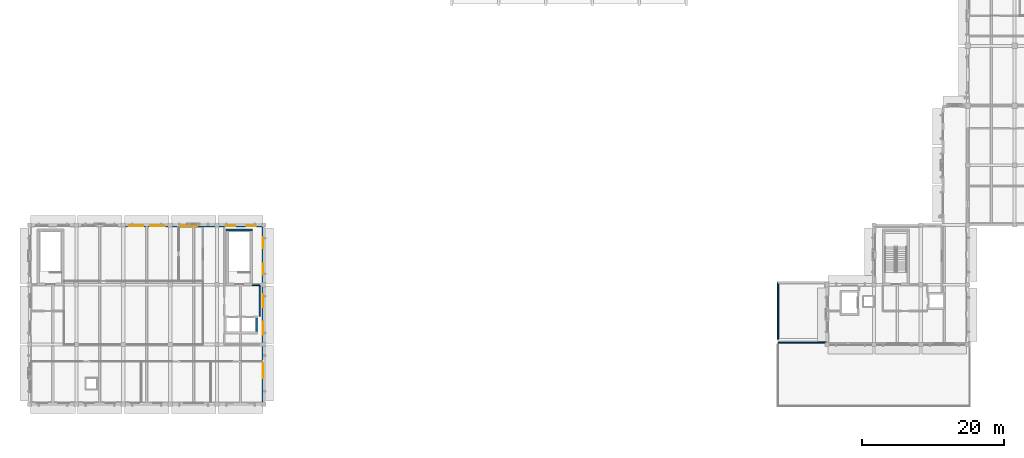
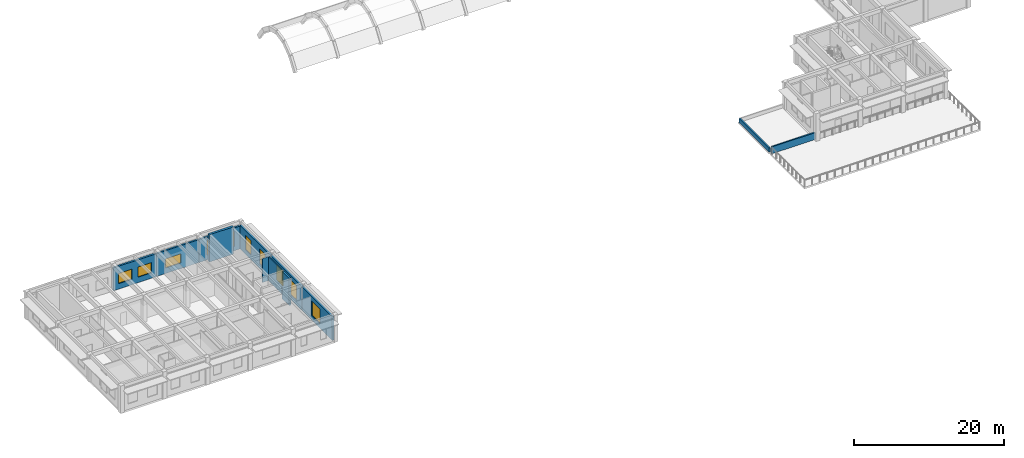
# One storey, part 8 of 20: 12 walls, 10 windows, 10 openings.
"""IFC4 building model written with IfcOpenShell, lengths in metres."""

from ifc_helpers import new_model, si_unit, direction, frame, frame_2d, origin, place, context, subcontext, project, spatial, rectangle, extrude, material, layer, layer_set, type_object, element, fill, save


model = new_model("IFC4")

# Units and contexts
model_context = context("Model", 3, precision=1e-05, world=origin(), true_north=direction((0.0, 1.0)))
body_context = subcontext(model_context, "Body", "Model", "MODEL_VIEW")
ifc_project = project(units=[si_unit("LENGTHUNIT", "METRE"), si_unit("AREAUNIT", "SQUARE_METRE"), si_unit("VOLUMEUNIT", "CUBIC_METRE"), si_unit("PLANEANGLEUNIT", "RADIAN"), si_unit("MASSUNIT", "GRAM", prefix="KILO")], contexts=[model_context])

# Site, building, storey
site_placement = place(None, origin())
site = spatial("IfcSite", under=ifc_project, at=site_placement, CompositionType="ELEMENT")
building_placement = place(site_placement, origin())
building = spatial("IfcBuilding", under=site, at=building_placement, Name="Kolvaren Faculty of Natural Sciences", CompositionType="ELEMENT")
storey_placement = place(building_placement, frame((0.0, 0.0, 24.0)))
storey = spatial("IfcBuildingStorey", under=building, at=storey_placement, Name="L05", CompositionType="ELEMENT", Elevation=24.0)

# Wall
ifc_material_1 = material(Name="Concrete C40/50", Category="concrete")
ifc_layer_1 = layer(ifc_material_1, 0.35009765625)
ifc_layer_set_1 = layer_set([ifc_layer_1], Name="Concrete C40/50")
wall_type_1 = type_object("IfcWallType", Name="CoreShearWall_350", PredefinedType="SHEAR", material=ifc_layer_set_1)
wall_1_placement = place(storey_placement, frame((34.425048828125, 41.5, 0.0), z_axis=(0.0, 0.0, 1.0), x_axis=(1.0, 0.0, 0.0)))
element("IfcWall", 1, at=wall_1_placement, inside=storey, type_object=wall_type_1, Name="L05 CORE-C4 stair shear wall N", PredefinedType="SHEAR", context=body_context, shape_type="SweptSolid", body=[
    extrude(rectangle(XDim=3.75, YDim=0.35009765625, at=frame_2d((1.875, 0.0))), origin(), (0.0, 0.0, 1.0), 4.43994140625),
])

# Wall, openings, windows
ifc_material_2 = material(Name="Precast concrete C35/45", Category="concrete")
ifc_layer_2 = layer(ifc_material_2, 0.280029296875)
ifc_layer_set_2 = layer_set([ifc_layer_2], Name="Precast concrete C35/45")
wall_type_2 = type_object("IfcWallType", Name="ExteriorPrecastWall_280", PredefinedType="STANDARD", material=ifc_layer_set_2)
wall_2_placement = place(storey_placement, frame((20.0, 42.06005859375, 0.0), z_axis=(0.0, 0.0, 1.0), x_axis=(1.0, 0.0, 0.0)))
wall_2 = element("IfcWall", 2, at=wall_2_placement, inside=storey, type_object=wall_type_2, Name="L05 exterior masonry wall EW-280 (666)", PredefinedType="STANDARD", context=body_context, shape_type="SweptSolid", body=[
    extrude(rectangle(XDim=6.60009765625, YDim=0.280029296875, at=frame_2d((3.300048828125, 0.0))), origin(), (0.0, 0.0, 1.0), 3.735107421875),
])
opening_1_placement = place(wall_2_placement, frame((0.757080078125, 0.0, 0.89990234375)))
opening_1 = element("IfcOpeningElement", 3, at=opening_1_placement, cuts=wall_2, Name="Opening WIN-17", PredefinedType="OPENING", context=body_context, shape_type="SweptSolid", body=[
    extrude(rectangle(XDim=2.050048828125, YDim=1.64990234375, at=frame_2d((1.02490234375, 0.824951171875))), frame((0.0, 0.14990234375, 0.0), z_axis=(0.0, -1.0, 0.0), x_axis=(1.0, 0.0, 0.0)), (0.0, 0.0, 1.0), 0.300048828125),
])
opening_2_placement = place(wall_2_placement, frame((3.79296875, 0.0, 0.89990234375)))
opening_2 = element("IfcOpeningElement", 4, at=opening_2_placement, cuts=wall_2, Name="Opening WIN-17", PredefinedType="OPENING", context=body_context, shape_type="SweptSolid", body=[
    extrude(rectangle(XDim=2.050048828125, YDim=1.64990234375, at=frame_2d((1.02490234375, 0.824951171875))), frame((0.0, 0.14990234375, 0.0), z_axis=(0.0, -1.0, 0.0), x_axis=(1.0, 0.0, 0.0)), (0.0, 0.0, 1.0), 0.300048828125),
])
ifc_material_3 = material(Name="Double low-E solar control insulated glazing", Category="glass")
window_type_1 = type_object("IfcWindowType", Name="AluWindow_WIN17_2050x1650", PartitioningType="SINGLE_PANEL", PredefinedType="WINDOW", material=ifc_material_3)
window_1_placement = place(opening_1_placement, origin())
window_1 = element("IfcWindow", 5, at=window_1_placement, inside=storey, type_object=window_type_1, Name="WIN-L05-0483", OverallHeight=1.64990234375, OverallWidth=2.050048828125, PartitioningType="SINGLE_PANEL", PredefinedType="WINDOW", context=body_context, shape_type="SweptSolid", body=[
    extrude(rectangle(XDim=2.050048828125, YDim=1.64990234375, at=frame_2d((1.02490234375, 0.824951171875))), frame((0.0, 0.030029296875, 0.0), z_axis=(0.0, -1.0, 0.0), x_axis=(1.0, 0.0, 0.0)), (0.0, 0.0, 1.0), 0.06005859375),
])
fill(opening_1, window_1)
window_2_placement = place(opening_2_placement, origin())
window_2 = element("IfcWindow", 6, at=window_2_placement, inside=storey, type_object=window_type_1, Name="WIN-L05-0484", OverallHeight=1.64990234375, OverallWidth=2.050048828125, PartitioningType="SINGLE_PANEL", PredefinedType="WINDOW", context=body_context, shape_type="SweptSolid", body=[
    extrude(rectangle(XDim=2.050048828125, YDim=1.64990234375, at=frame_2d((1.02490234375, 0.824951171875))), frame((0.0, 0.030029296875, 0.0), z_axis=(0.0, -1.0, 0.0), x_axis=(1.0, 0.0, 0.0)), (0.0, 0.0, 1.0), 0.06005859375),
])
fill(opening_2, window_2)

# Wall, opening, window
wall_3_placement = place(storey_placement, frame((26.60009765625, 42.06005859375, 0.0), z_axis=(0.0, 0.0, 1.0), x_axis=(1.0, 0.0, 0.0)))
wall_3 = element("IfcWall", 7, at=wall_3_placement, inside=storey, type_object=wall_type_2, Name="L05 exterior masonry wall EW-280 (667)", PredefinedType="STANDARD", context=body_context, shape_type="SweptSolid", body=[
    extrude(rectangle(XDim=6.599853515625, YDim=0.280029296875, at=frame_2d((3.2998046875, 0.0))), origin(), (0.0, 0.0, 1.0), 3.735107421875),
])
opening_3_placement = place(wall_3_placement, frame((1.43994140625, 0.0, 0.89990234375)))
opening_3 = element("IfcOpeningElement", 8, at=opening_3_placement, cuts=wall_3, Name="Opening WIN-18", PredefinedType="OPENING", context=body_context, shape_type="SweptSolid", body=[
    extrude(rectangle(XDim=2.35009765625, YDim=1.5, at=frame_2d((1.175048828125, 0.75))), frame((0.0, 0.14990234375, 0.0), z_axis=(0.0, -1.0, 0.0), x_axis=(1.0, 0.0, 0.0)), (0.0, 0.0, 1.0), 0.300048828125),
])
window_type_2 = type_object("IfcWindowType", Name="AluWindow_WIN18_2350x1500", PartitioningType="SINGLE_PANEL", PredefinedType="WINDOW", material=ifc_material_3)
window_3_placement = place(opening_3_placement, origin())
window_3 = element("IfcWindow", 9, at=window_3_placement, inside=storey, type_object=window_type_2, Name="WIN-L05-0485", OverallHeight=1.5, OverallWidth=2.35009765625, PartitioningType="SINGLE_PANEL", PredefinedType="WINDOW", context=body_context, shape_type="SweptSolid", body=[
    extrude(rectangle(XDim=2.35009765625, YDim=1.5, at=frame_2d((1.175048828125, 0.75))), frame((0.0, 0.030029296875, 0.0), z_axis=(0.0, -1.0, 0.0), x_axis=(1.0, 0.0, 0.0)), (0.0, 0.0, 1.0), 0.06005859375),
])
fill(opening_3, window_3)

# Wall, openings, windows
wall_4_placement = place(storey_placement, frame((33.199951171875, 42.06005859375, 0.0), z_axis=(0.0, 0.0, 1.0), x_axis=(1.0, 0.0, 0.0)))
wall_4 = element("IfcWall", 10, at=wall_4_placement, inside=storey, type_object=wall_type_2, Name="L05 exterior masonry wall EW-280 (668)", PredefinedType="STANDARD", context=body_context, shape_type="SweptSolid", body=[
    extrude(rectangle(XDim=6.60009765625, YDim=0.280029296875, at=frame_2d((3.300048828125, 0.0))), origin(), (0.0, 0.0, 1.0), 3.735107421875),
])
opening_4_placement = place(wall_4_placement, frame((1.239990234375, 0.0, 0.75)))
opening_4 = element("IfcOpeningElement", 11, at=opening_4_placement, cuts=wall_4, Name="Opening WIN-19", PredefinedType="OPENING", context=body_context, shape_type="SweptSolid", body=[
    extrude(rectangle(XDim=1.300048828125, YDim=2.39990234375, at=frame_2d((0.64990234375, 1.199951171875))), frame((0.0, 0.14990234375, 0.0), z_axis=(0.0, -1.0, 0.0), x_axis=(1.0, 0.0, 0.0)), (0.0, 0.0, 1.0), 0.300048828125),
])
opening_5_placement = place(wall_4_placement, frame((4.16796875, 0.0, 0.75)))
opening_5 = element("IfcOpeningElement", 12, at=opening_5_placement, cuts=wall_4, Name="Opening WIN-19", PredefinedType="OPENING", context=body_context, shape_type="SweptSolid", body=[
    extrude(rectangle(XDim=1.300048828125, YDim=2.39990234375, at=frame_2d((0.64990234375, 1.199951171875))), frame((0.0, 0.14990234375, 0.0), z_axis=(0.0, -1.0, 0.0), x_axis=(1.0, 0.0, 0.0)), (0.0, 0.0, 1.0), 0.300048828125),
])
window_type_3 = type_object("IfcWindowType", Name="AluWindow_WIN19_1300x2400", PartitioningType="SINGLE_PANEL", PredefinedType="WINDOW", material=ifc_material_3)
window_4_placement = place(opening_4_placement, origin())
window_4 = element("IfcWindow", 13, at=window_4_placement, inside=storey, type_object=window_type_3, Name="WIN-L05-0486", OverallHeight=2.39990234375, OverallWidth=1.300048828125, PartitioningType="SINGLE_PANEL", PredefinedType="WINDOW", context=body_context, shape_type="SweptSolid", body=[
    extrude(rectangle(XDim=1.300048828125, YDim=2.39990234375, at=frame_2d((0.64990234375, 1.199951171875))), frame((0.0, 0.030029296875, 0.0), z_axis=(0.0, -1.0, 0.0), x_axis=(1.0, 0.0, 0.0)), (0.0, 0.0, 1.0), 0.06005859375),
])
fill(opening_4, window_4)
window_5_placement = place(opening_5_placement, origin())
window_5 = element("IfcWindow", 14, at=window_5_placement, inside=storey, type_object=window_type_3, Name="WIN-L05-0487", OverallHeight=2.39990234375, OverallWidth=1.300048828125, PartitioningType="SINGLE_PANEL", PredefinedType="WINDOW", context=body_context, shape_type="SweptSolid", body=[
    extrude(rectangle(XDim=1.300048828125, YDim=2.39990234375, at=frame_2d((0.64990234375, 1.199951171875))), frame((0.0, 0.030029296875, 0.0), z_axis=(0.0, -1.0, 0.0), x_axis=(1.0, 0.0, 0.0)), (0.0, 0.0, 1.0), 0.06005859375),
])
fill(opening_5, window_5)

wall_5_placement = place(storey_placement, frame((39.659912109375, 41.919921875, 0.0), z_axis=(0.0, 0.0, 1.0), x_axis=(0.0, -1.0, 0.0)))
wall_5 = element("IfcWall", 15, at=wall_5_placement, inside=storey, type_object=wall_type_2, Name="L05 exterior masonry wall EW-280 (669)", PredefinedType="STANDARD", context=body_context, shape_type="SweptSolid", body=[
    extrude(rectangle(XDim=8.119873046875, YDim=0.280029296875, at=frame_2d((4.06005859375, 0.0))), origin(), (0.0, 0.0, 1.0), 3.885009765625),
])
opening_6_placement = place(wall_5_placement, frame((1.41748046875, 0.0, 0.75)))
opening_6 = element("IfcOpeningElement", 16, at=opening_6_placement, cuts=wall_5, Name="Opening WIN-20", PredefinedType="OPENING", context=body_context, shape_type="SweptSolid", body=[
    extrude(rectangle(XDim=1.550048828125, YDim=2.39990234375, at=frame_2d((0.77490234375, 1.199951171875))), frame((0.0, 0.14990234375, 0.0), z_axis=(0.0, -1.0, 0.0), x_axis=(1.0, 0.0, 0.0)), (0.0, 0.0, 1.0), 0.300048828125),
])
opening_7_placement = place(wall_5_placement, frame((5.152587890625, 0.0, 0.75)))
opening_7 = element("IfcOpeningElement", 17, at=opening_7_placement, cuts=wall_5, Name="Opening WIN-20", PredefinedType="OPENING", context=body_context, shape_type="SweptSolid", body=[
    extrude(rectangle(XDim=1.550048828125, YDim=2.39990234375, at=frame_2d((0.77490234375, 1.199951171875))), frame((0.0, 0.14990234375, 0.0), z_axis=(0.0, -1.0, 0.0), x_axis=(1.0, 0.0, 0.0)), (0.0, 0.0, 1.0), 0.300048828125),
])
window_type_4 = type_object("IfcWindowType", Name="AluWindow_WIN20_1550x2400", PartitioningType="SINGLE_PANEL", PredefinedType="WINDOW", material=ifc_material_3)
window_6_placement = place(opening_6_placement, origin())
window_6 = element("IfcWindow", 18, at=window_6_placement, inside=storey, type_object=window_type_4, Name="WIN-L05-0488", OverallHeight=2.39990234375, OverallWidth=1.550048828125, PartitioningType="SINGLE_PANEL", PredefinedType="WINDOW", context=body_context, shape_type="SweptSolid", body=[
    extrude(rectangle(XDim=1.550048828125, YDim=2.39990234375, at=frame_2d((0.77490234375, 1.199951171875))), frame((0.0, 0.030029296875, 0.0), z_axis=(0.0, -1.0, 0.0), x_axis=(1.0, 0.0, 0.0)), (0.0, 0.0, 1.0), 0.06005859375),
])
fill(opening_6, window_6)
window_7_placement = place(opening_7_placement, origin())
window_7 = element("IfcWindow", 19, at=window_7_placement, inside=storey, type_object=window_type_4, Name="WIN-L05-0489", OverallHeight=2.39990234375, OverallWidth=1.550048828125, PartitioningType="SINGLE_PANEL", PredefinedType="WINDOW", context=body_context, shape_type="SweptSolid", body=[
    extrude(rectangle(XDim=1.550048828125, YDim=2.39990234375, at=frame_2d((0.77490234375, 1.199951171875))), frame((0.0, 0.030029296875, 0.0), z_axis=(0.0, -1.0, 0.0), x_axis=(1.0, 0.0, 0.0)), (0.0, 0.0, 1.0), 0.06005859375),
])
fill(opening_7, window_7)

wall_6_placement = place(storey_placement, frame((39.659912109375, 33.800048828125, 0.0), z_axis=(0.0, 0.0, 1.0), x_axis=(0.0, -1.0, 0.0)))
wall_6 = element("IfcWall", 20, at=wall_6_placement, inside=storey, type_object=wall_type_2, Name="L05 exterior masonry wall EW-280 (670)", PredefinedType="STANDARD", context=body_context, shape_type="SweptSolid", body=[
    extrude(rectangle(XDim=8.400146484375, YDim=0.280029296875, at=frame_2d((4.2001953125, 0.0))), origin(), (0.0, 0.0, 1.0), 3.885009765625),
])
opening_8_placement = place(wall_6_placement, frame((1.367919921875, 0.0, 0.75)))
opening_8 = element("IfcOpeningElement", 21, at=opening_8_placement, cuts=wall_6, Name="Opening WIN-21", PredefinedType="OPENING", context=body_context, shape_type="SweptSolid", body=[
    extrude(rectangle(XDim=1.800048828125, YDim=2.39990234375, at=frame_2d((0.89990234375, 1.199951171875))), frame((0.0, 0.14990234375, 0.0), z_axis=(0.0, -1.0, 0.0), x_axis=(1.0, 0.0, 0.0)), (0.0, 0.0, 1.0), 0.300048828125),
])
opening_9_placement = place(wall_6_placement, frame((5.23193359375, 0.0, 0.75)))
opening_9 = element("IfcOpeningElement", 22, at=opening_9_placement, cuts=wall_6, Name="Opening WIN-21", PredefinedType="OPENING", context=body_context, shape_type="SweptSolid", body=[
    extrude(rectangle(XDim=1.800048828125, YDim=2.39990234375, at=frame_2d((0.89990234375, 1.199951171875))), frame((0.0, 0.14990234375, 0.0), z_axis=(0.0, -1.0, 0.0), x_axis=(1.0, 0.0, 0.0)), (0.0, 0.0, 1.0), 0.300048828125),
])
window_type_5 = type_object("IfcWindowType", Name="AluWindow_WIN21_1800x2400", PartitioningType="SINGLE_PANEL", PredefinedType="WINDOW", material=ifc_material_3)
window_8_placement = place(opening_8_placement, origin())
window_8 = element("IfcWindow", 23, at=window_8_placement, inside=storey, type_object=window_type_5, Name="WIN-L05-0490", OverallHeight=2.39990234375, OverallWidth=1.800048828125, PartitioningType="SINGLE_PANEL", PredefinedType="WINDOW", context=body_context, shape_type="SweptSolid", body=[
    extrude(rectangle(XDim=1.800048828125, YDim=2.39990234375, at=frame_2d((0.89990234375, 1.199951171875))), frame((0.0, 0.030029296875, 0.0), z_axis=(0.0, -1.0, 0.0), x_axis=(1.0, 0.0, 0.0)), (0.0, 0.0, 1.0), 0.06005859375),
])
fill(opening_8, window_8)
window_9_placement = place(opening_9_placement, origin())
window_9 = element("IfcWindow", 24, at=window_9_placement, inside=storey, type_object=window_type_5, Name="WIN-L05-0491", OverallHeight=2.39990234375, OverallWidth=1.800048828125, PartitioningType="SINGLE_PANEL", PredefinedType="WINDOW", context=body_context, shape_type="SweptSolid", body=[
    extrude(rectangle(XDim=1.800048828125, YDim=2.39990234375, at=frame_2d((0.89990234375, 1.199951171875))), frame((0.0, 0.030029296875, 0.0), z_axis=(0.0, -1.0, 0.0), x_axis=(1.0, 0.0, 0.0)), (0.0, 0.0, 1.0), 0.06005859375),
])
fill(opening_9, window_9)

# Wall, opening, window
wall_7_placement = place(storey_placement, frame((39.659912109375, 25.39990234375, 0.0), z_axis=(0.0, 0.0, 1.0), x_axis=(0.0, -1.0, 0.0)))
wall_7 = element("IfcWall", 25, at=wall_7_placement, inside=storey, type_object=wall_type_2, Name="L05 exterior masonry wall EW-280 (671)", PredefinedType="STANDARD", context=body_context, shape_type="SweptSolid", body=[
    extrude(rectangle(XDim=8.119873046875, YDim=0.280029296875, at=frame_2d((4.06005859375, 0.0))), origin(), (0.0, 0.0, 1.0), 3.885009765625),
])
opening_10_placement = place(wall_7_placement, frame((2.639892578125, 0.0, 0.75)))
opening_10 = element("IfcOpeningElement", 26, at=opening_10_placement, cuts=wall_7, Name="Opening WIN-22", PredefinedType="OPENING", context=body_context, shape_type="SweptSolid", body=[
    extrude(rectangle(XDim=2.14990234375, YDim=2.39990234375, at=frame_2d((1.074951171875, 1.199951171875))), frame((0.0, 0.14990234375, 0.0), z_axis=(0.0, -1.0, 0.0), x_axis=(1.0, 0.0, 0.0)), (0.0, 0.0, 1.0), 0.300048828125),
])
window_type_6 = type_object("IfcWindowType", Name="AluWindow_WIN22_2150x2400", PartitioningType="SINGLE_PANEL", PredefinedType="WINDOW", material=ifc_material_3)
window_10_placement = place(opening_10_placement, origin())
window_10 = element("IfcWindow", 27, at=window_10_placement, inside=storey, type_object=window_type_6, Name="WIN-L05-0492", OverallHeight=2.39990234375, OverallWidth=2.14990234375, PartitioningType="SINGLE_PANEL", PredefinedType="WINDOW", context=body_context, shape_type="SweptSolid", body=[
    extrude(rectangle(XDim=2.14990234375, YDim=2.39990234375, at=frame_2d((1.074951171875, 1.199951171875))), frame((0.0, 0.030029296875, 0.0), z_axis=(0.0, -1.0, 0.0), x_axis=(1.0, 0.0, 0.0)), (0.0, 0.0, 1.0), 0.06005859375),
])
fill(opening_10, window_10)

# Walls
ifc_layer_3 = layer(ifc_material_2, 0.219970703125)
ifc_layer_set_3 = layer_set([ifc_layer_3], Name="Precast concrete C35/45")
wall_type_3 = type_object("IfcWallType", Name="ParapetUpstandWall_220", PredefinedType="PARAPET", material=ifc_layer_set_3)
wall_8_placement = place(storey_placement, frame((112.1201171875, 25.679931640625, 0.0), z_axis=(0.0, 0.0, 1.0), x_axis=(1.0, 0.0, 0.0)))
element("IfcWall", 28, at=wall_8_placement, inside=storey, type_object=wall_type_3, Name="L05 terrace-to-roof guard parapet divider 3", PredefinedType="PARAPET", context=body_context, shape_type="SweptSolid", body=[
    extrude(rectangle(XDim=6.759765625, YDim=0.219970703125, at=frame_2d((3.3798828125, 0.0))), origin(), (0.0, 0.0, 1.0), 1.1201171875),
])
wall_9_placement = place(storey_placement, frame((112.1201171875, 26.10009765625, 0.0), z_axis=(0.0, 0.0, 1.0), x_axis=(0.0, 1.0, 0.0)))
element("IfcWall", 29, at=wall_9_placement, inside=storey, type_object=wall_type_3, Name="L05 architectural sandstone roof parapet 60", PredefinedType="PARAPET", context=body_context, shape_type="SweptSolid", body=[
    extrude(rectangle(XDim=7.97998046875, YDim=0.219970703125, at=frame_2d((3.989990234375, 0.0))), origin(), (0.0, 0.0, 1.0), 0.679931640625),
])
ifc_material_4 = material(Name="Double fire-rated gypsum board on 100 mm steel stud", Category="steel")
ifc_layer_4 = layer(ifc_material_4, 0.14990234375)
ifc_layer_set_4 = layer_set([ifc_layer_4], Name="Double fire-rated gypsum board on 100 mm steel stud")
wall_type_4 = type_object("IfcWallType", Name="RatedCorridorWall_150", PredefinedType="PARTITIONING", material=ifc_layer_set_4)
wall_10_placement = place(storey_placement, frame((38.175048828125, 33.699951171875, 0.0), z_axis=(0.0, 0.0, 1.0), x_axis=(1.0, 0.0, 0.0)))
element("IfcWall", 30, at=wall_10_placement, inside=storey, type_object=wall_type_4, Name="L05 interior partition LW-150", PredefinedType="PARTITIONING", context=body_context, shape_type="SweptSolid", body=[
    extrude(rectangle(XDim=1.02490234375, YDim=0.14990234375, at=frame_2d((0.512451171875, 0.0))), origin(), (0.0, 0.0, 1.0), 3.885009765625),
])
wall_11_placement = place(storey_placement, frame((39.199951171875, 33.699951171875, 0.0), z_axis=(0.0, 0.0, 1.0), x_axis=(0.0, -1.0, 0.0)))
element("IfcWall", 31, at=wall_11_placement, inside=storey, type_object=wall_type_4, Name="L05 interior partition LW-150", PredefinedType="PARTITIONING", context=body_context, shape_type="SweptSolid", body=[
    extrude(rectangle(XDim=4.300048828125, YDim=0.14990234375, at=frame_2d((2.14990234375, 0.0))), origin(), (0.0, 0.0, 1.0), 3.885009765625),
])
ifc_layer_5 = layer(ifc_material_1, 0.300048828125)
ifc_layer_set_5 = layer_set([ifc_layer_5], Name="Concrete C40/50")
wall_type_5 = type_object("IfcWallType", Name="ShaftShearWall_300", PredefinedType="SHEAR", material=ifc_layer_set_5)
wall_12_placement = place(storey_placement, frame((38.75, 27.199951171875, 0.0), z_axis=(0.0, 0.0, 1.0), x_axis=(0.0, 1.0, 0.0)))
element("IfcWall", 32, at=wall_12_placement, inside=storey, type_object=wall_type_5, Name="L05 lift PL-4 shaft wall E", PredefinedType="SHEAR", context=body_context, shape_type="SweptSolid", body=[
    extrude(rectangle(XDim=1.900146484375, YDim=0.300048828125, at=frame_2d((0.9501953125, 0.0))), origin(), (0.0, 0.0, 1.0), 4.43994140625),
])

save(model, "model.ifc")
